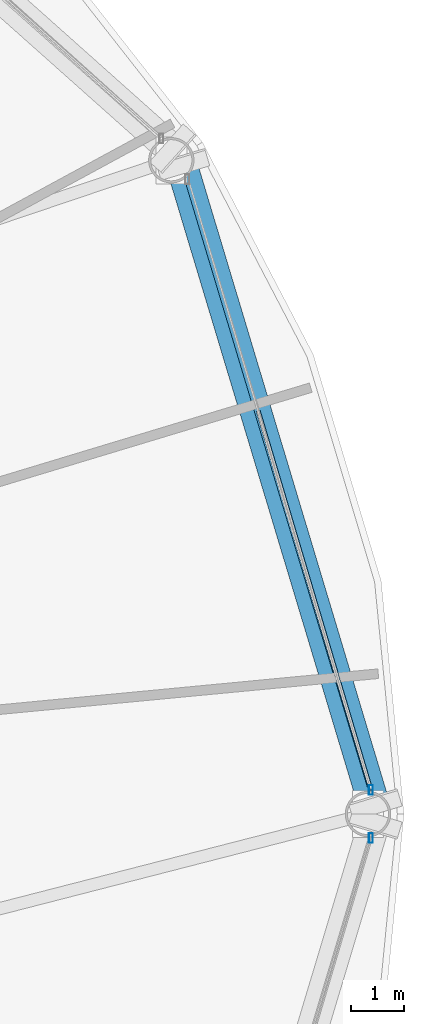
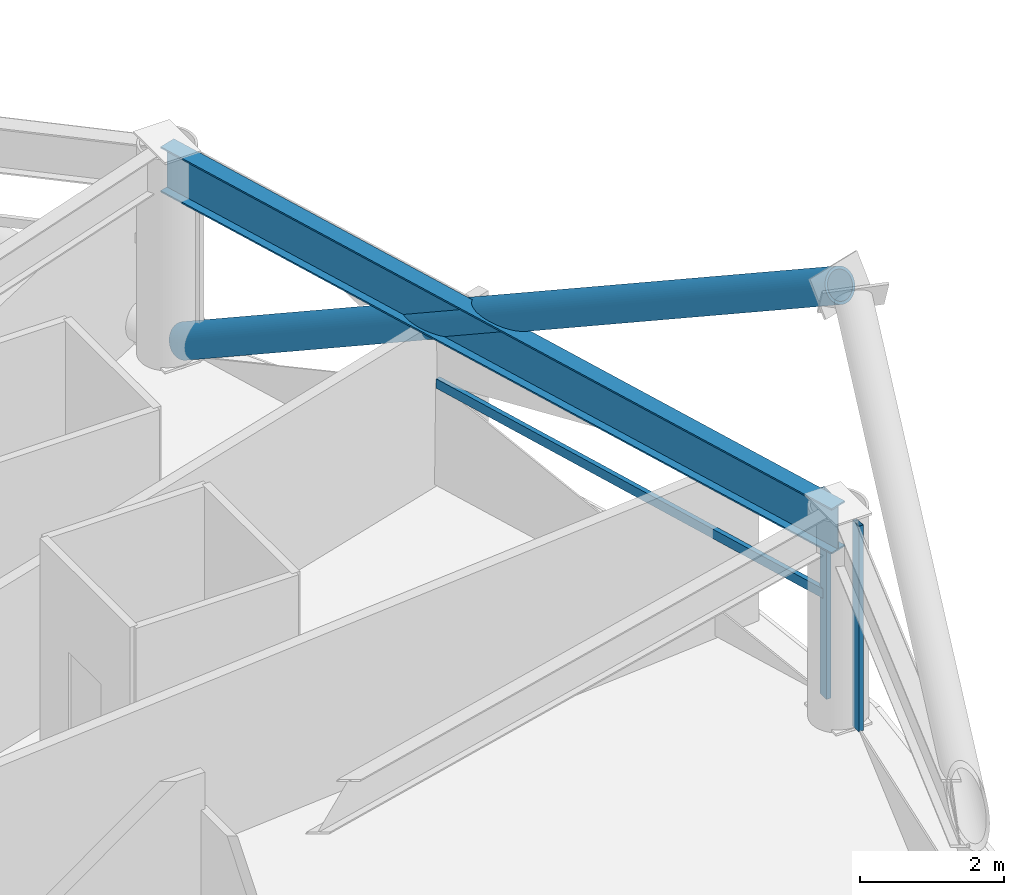
# One storey, part 12 of 30: 4 members, 1 beam, 2 elements without a shape of their own.
"""IFC4 building model written with IfcOpenShell, lengths in metres."""

from ifc_helpers import new_model, si_unit, direction, frame, origin, origin_2d, place, context, subcontext, project, spatial, hollow_rectangle, hollow_circle, i_section, extrude, material, layer, layer_set, material_profile, profile_set, type_object, element, aggregate, save


model = new_model("IFC4")

# Units and contexts
model_context = context("Model", 3, precision=1e-05, world=origin(), true_north=direction((0.0, 1.0)))
body_context = subcontext(model_context, "Body", "Model", "MODEL_VIEW")
ifc_project = project(units=[si_unit("LENGTHUNIT", "METRE"), si_unit("AREAUNIT", "SQUARE_METRE"), si_unit("VOLUMEUNIT", "CUBIC_METRE"), si_unit("PLANEANGLEUNIT", "RADIAN"), si_unit("MASSUNIT", "GRAM", prefix="KILO")], contexts=[model_context])

# Site, building, storey
site_placement = place(None, origin())
site = spatial("IfcSite", under=ifc_project, at=site_placement, CompositionType="ELEMENT")
building_placement = place(site_placement, origin())
building = spatial("IfcBuilding", under=site, at=building_placement, Name="Vantalir Tower", CompositionType="ELEMENT")
storey_placement = place(building_placement, frame((0.0, 0.0, 79.5)))
storey = spatial("IfcBuildingStorey", under=building, at=storey_placement, Name="L19", CompositionType="ELEMENT", Elevation=79.5)

# Beam
ifc_material_1 = material(Name="Steel S460", Category="steel")
ifc_material_profile_1 = material_profile(ifc_material_1, i_section(OverallWidth=0.26806640625, OverallDepth=0.77001953125, WebThickness=0.015625, FlangeThickness=0.025390625, at=origin_2d()), Name="Steel S460")
ifc_profile_set_1 = profile_set([ifc_material_profile_1], Name="Steel S460")
beam_type = type_object("IfcBeamType", Name="BM-RG-762x267", PredefinedType="USERDEFINED", material=ifc_profile_set_1)
beam_placement = place(storey_placement, frame((59.0, 25.0, 3.18505859375), z_axis=(-0.288062352819, 0.957611654528, 0.0), x_axis=(-0.957611654528, -0.288062352819, 0.0)))
element("IfcBeam", 1, at=beam_placement, inside=storey, type_object=beam_type, Name="L19 Circumferential Ring Girder 01", ObjectType="GIRDER", PredefinedType="USERDEFINED", context=body_context, shape_type="SweptSolid", body=[
    extrude(i_section(OverallWidth=0.26806640625, OverallDepth=0.77001953125, WebThickness=0.015625, FlangeThickness=0.025390625, at=origin_2d()), origin(), (0.0, 0.0, 1.0), 12.7890625),
])

# Curtain wall, member
ifc_material_2 = material(Name="Champagne-silver PVDF aluminium and double-silver Low-E glass", Category="aluminium")
ifc_layer = layer(ifc_material_2, 0.18994140625)
ifc_layer_set = layer_set([ifc_layer], Name="Champagne-silver PVDF aluminium and double-silver Low-E glass")
curtain_wall_type = type_object("IfcCurtainWallType", Name="CW-DIAMOND-Z1", PredefinedType="USERDEFINED", material=ifc_layer_set)
curtain_wall_1_placement = place(storey_placement, origin())
curtain_wall_1 = element("IfcCurtainWall", 2, at=curtain_wall_1_placement, inside=storey, type_object=curtain_wall_type, Name="L19 Quilted Pyramid-Diamond Curtain Wall S01", ObjectType="UNITISED CURTAIN WALL", PredefinedType="USERDEFINED")
ifc_material_3 = material(Name="Champagne-silver PVDF aluminium 6063-T6", Category="aluminium")
ifc_material_profile_2 = material_profile(ifc_material_3, hollow_rectangle(XDim=0.074951171875, YDim=0.179931640625, WallThickness=0.00390625, at=origin_2d()), Name="Champagne-silver PVDF aluminium 6063-T6")
ifc_profile_set_2 = profile_set([ifc_material_profile_2], Name="Champagne-silver PVDF aluminium 6063-T6")
member_type_1 = type_object("IfcMemberType", Name="CWM-180x75", PredefinedType="MULLION", material=ifc_profile_set_2)
member_1_placement = place(storey_placement, frame((59.054931640625, 25.449951171875, 0.044921875), z_axis=(0.0, 0.0, 1.0), x_axis=(1.0, 0.0, 0.0)))
member_1 = element("IfcMember", 3, at=member_1_placement, type_object=member_type_1, Name="CW-L19-S01 Mullion 1", PredefinedType="MULLION", context=body_context, shape_type="SweptSolid", body=[
    extrude(hollow_rectangle(XDim=0.074951171875, YDim=0.179931640625, WallThickness=0.00390625, at=origin_2d()), origin(), (0.0, 0.0, 1.0), 3.47998046875),
])

curtain_wall_2_placement = place(storey_placement, origin())
curtain_wall_2 = element("IfcCurtainWall", 4, at=curtain_wall_2_placement, inside=storey, type_object=curtain_wall_type, Name="L19 Quilted Pyramid-Diamond Curtain Wall S12", ObjectType="UNITISED CURTAIN WALL", PredefinedType="USERDEFINED")
member_2_placement = place(storey_placement, frame((59.054931640625, 24.550048828125, 0.044921875), z_axis=(0.0, 0.0, 1.0), x_axis=(1.0, 0.0, 0.0)))
member_2 = element("IfcMember", 5, at=member_2_placement, type_object=member_type_1, Name="CW-L19-S12 Mullion 2", PredefinedType="MULLION", context=body_context, shape_type="SweptSolid", body=[
    extrude(hollow_rectangle(XDim=0.074951171875, YDim=0.179931640625, WallThickness=0.00390625, at=origin_2d()), origin(), (0.0, 0.0, 1.0), 3.47998046875),
])
aggregate(curtain_wall_2, [member_2])

# Member
ifc_material_profile_3 = material_profile(ifc_material_3, hollow_rectangle(XDim=0.074951171875, YDim=0.159912109375, WallThickness=0.00390625, at=origin_2d()), Name="Champagne-silver PVDF aluminium 6063-T6")
ifc_profile_set_3 = profile_set([ifc_material_profile_3], Name="Champagne-silver PVDF aluminium 6063-T6")
member_type_2 = type_object("IfcMemberType", Name="CWT-160x75", PredefinedType="USERDEFINED", material=ifc_profile_set_3)
member_3_placement = place(storey_placement, frame((59.054931640625, 25.449951171875, 1.784912109375), z_axis=(-0.284813133052, 0.958583058082, 0.0), x_axis=(-0.958583058082, -0.284813133052, 0.0)))
member_3 = element("IfcMember", 6, at=member_3_placement, type_object=member_type_2, Name="CW-L19-S01 Pyramid Fold Ridge Transom", ObjectType="TRANSOM", PredefinedType="USERDEFINED", context=body_context, shape_type="SweptSolid", body=[
    extrude(hollow_rectangle(XDim=0.074951171875, YDim=0.159912109375, WallThickness=0.00390625, at=origin_2d()), origin(), (0.0, 0.0, 1.0), 7.407958984375),
])

aggregate(curtain_wall_1, [member_1, member_3])

ifc_material_profile_4 = material_profile(ifc_material_1, hollow_circle(Radius=0.27001953125, WallThickness=0.044921875, at=origin_2d()), Name="Steel S460")
ifc_profile_set_4 = profile_set([ifc_material_profile_4], Name="Steel S460")
member_type_3 = type_object("IfcMemberType", Name="MEM-DB-540x45", PredefinedType="BRACE", material=ifc_profile_set_4)
member_4_placement = place(storey_placement, frame((55.534912109375, 37.157958984375, 0.18701171875), z_axis=(0.251698484614, -0.837145814314, 0.485628210074), x_axis=(0.957651449331, 0.28793002899, 0.0)))
element("IfcMember", 7, at=member_4_placement, inside=storey, type_object=member_type_3, Name="L19 Perimeter S460 Diagrid Brace R04R", PredefinedType="BRACE", context=body_context, shape_type="SweptSolid", body=[
    extrude(hollow_circle(Radius=0.27001953125, WallThickness=0.044921875, at=origin_2d()), origin(), (0.0, 0.0, 1.0), 14.30322265625),
])

save(model, "model.ifc")
